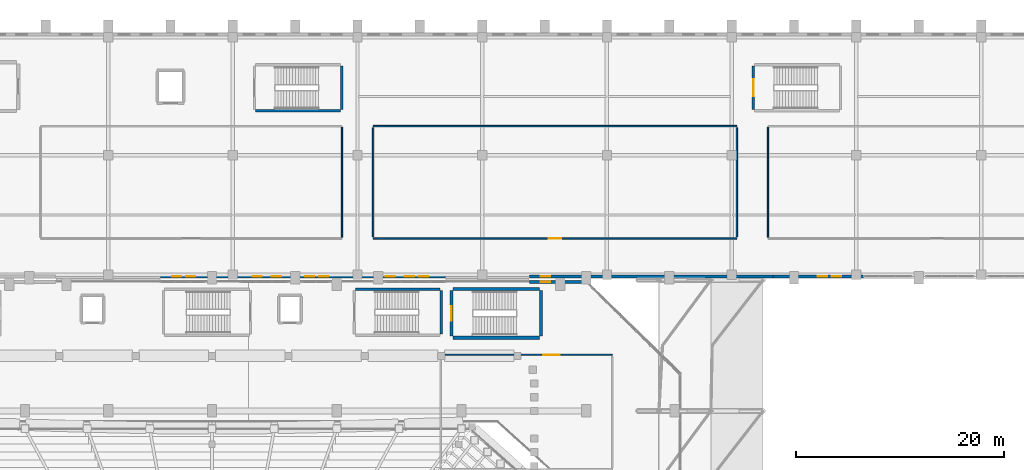
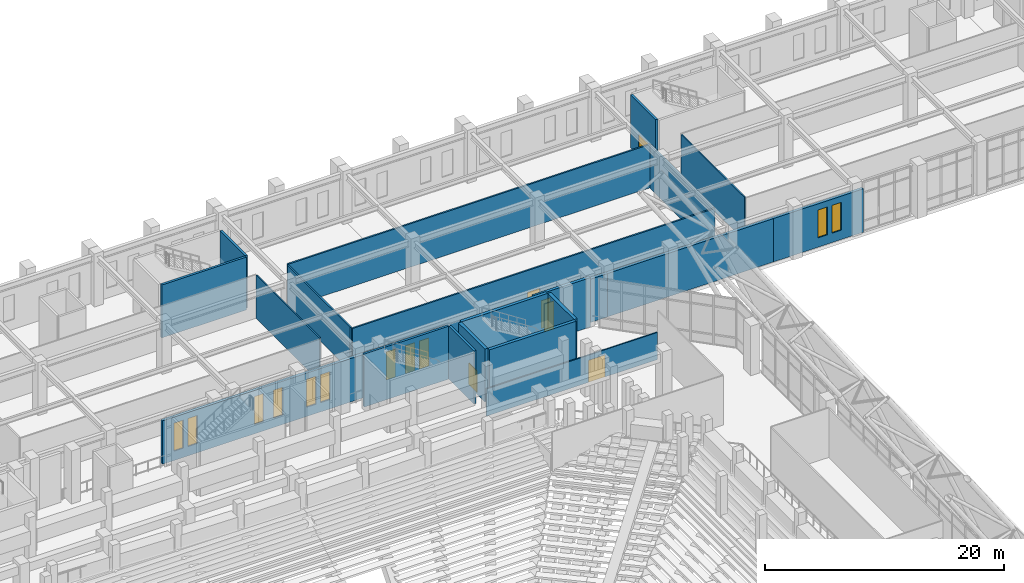
# One storey, part 132 of 159: 21 walls, 13 windows, 4 doors, 17 openings.
"""IFC4 building model written with IfcOpenShell, lengths in metres."""

import ifcopenshell
import ifcopenshell.guid

model = None  # the IFC model being written
_history = None  # IfcOwnerHistory: only IFC2X3 demands one
_inside = {}  # id of a spatial element -> (the spatial element, [elements in it])
_under = {}  # id of a project, library or spatial element -> (it, [spatial elements below it])
_declared = {}  # id of a project -> (the project, [libraries it declares])
_typed = {}  # id of a type object -> (the type object, [elements of that type])
_made_of = {}  # id of a material, layer set ... -> (it, [elements and type objects made of it])


def new_model(schema):
    """Start an empty IFC model of exactly this schema.

    Asked for "IFC4X3", IfcOpenShell would pick the latest addendum, in which some entities
    have other attributes; the version numbers below select the first issue.
    IFC2X3 requires an IfcOwnerHistory on every rooted entity: one is made here for all.
    """
    global model, _history
    if schema == "IFC4X3":
        model = ifcopenshell.file(schema_version=(4, 3, 0, 0))
    else:
        model = ifcopenshell.file(schema=schema)
    _inside.clear()
    _under.clear()
    _declared.clear()
    _typed.clear()
    _made_of.clear()
    _history = None
    if model.schema == "IFC2X3":
        org = make("IfcOrganization", Name="unknown")
        user = make(
            "IfcPersonAndOrganization",
            ThePerson=make("IfcPerson", FamilyName="unknown"),
            TheOrganization=org,
        )
        app = make(
            "IfcApplication",
            ApplicationDeveloper=org,
            Version="unknown",
            ApplicationFullName="unknown",
            ApplicationIdentifier="unknown",
        )
        _history = make(
            "IfcOwnerHistory",
            OwningUser=user,
            OwningApplication=app,
            ChangeAction="ADDED",
            CreationDate=0,
        )
    return model


def make(cls, **values):
    """One entity of the class cls with the attributes given. An attribute that is None is left unset."""
    return model.create_entity(
        cls, **{name: value for name, value in values.items() if value is not None}
    )


def rooted(cls, **values):
    """An entity with a GlobalId (a new one), such as an element, a storey or a relation."""
    return make(cls, GlobalId=ifcopenshell.guid.new(), OwnerHistory=_history, **values)


def si_unit(unit_type, name, prefix=None):
    """IfcSIUnit, for example si_unit("LENGTHUNIT", "METRE", prefix="MILLI")."""
    return make("IfcSIUnit", UnitType=unit_type, Prefix=prefix, Name=name)


def derived_unit(unit_type, elements):
    """IfcDerivedUnit: a product of units, each with its exponent."""
    return make(
        "IfcDerivedUnit",
        Elements=[
            make("IfcDerivedUnitElement", Unit=unit, Exponent=power)
            for unit, power in elements
        ],
        UnitType=unit_type,
    )


def assignment(units):
    """IfcUnitAssignment: the units of a project."""
    return None if units is None else make("IfcUnitAssignment", Units=units)


def point(xyz):
    """IfcCartesianPoint."""
    return None if xyz is None else make("IfcCartesianPoint", Coordinates=xyz)


def direction(xyz):
    """IfcDirection."""
    return None if xyz is None else make("IfcDirection", DirectionRatios=xyz)


def frame(location, z_axis=None, x_axis=None):
    """IfcAxis2Placement3D, a coordinate frame: its origin and axes. An axis left out is left unset."""
    return make(
        "IfcAxis2Placement3D",
        Location=point(location),
        Axis=direction(z_axis),
        RefDirection=direction(x_axis),
    )


def frame_2d(location, x_axis=None):
    """IfcAxis2Placement2D, a coordinate frame in the plane: its origin and x axis."""
    return make(
        "IfcAxis2Placement2D", Location=point(location), RefDirection=direction(x_axis)
    )


def origin():
    """The frame at (0, 0, 0) with its axes left unset."""
    return frame((0.0, 0.0, 0.0))


def place(relative_to, where):
    """IfcLocalPlacement: puts the frame where relative to a parent placement (None: the world)."""
    return make(
        "IfcLocalPlacement", PlacementRelTo=relative_to, RelativePlacement=where
    )


def context(
    kind, dimensions, precision=None, world=None, true_north=None, identifier=None
):
    """IfcGeometricRepresentationContext, for example the 3D "Model" context."""
    return make(
        "IfcGeometricRepresentationContext",
        ContextIdentifier=identifier,
        ContextType=kind,
        CoordinateSpaceDimension=dimensions,
        Precision=precision,
        WorldCoordinateSystem=world,
        TrueNorth=true_north,
    )


def subcontext(parent, identifier, kind, view, scale=None):
    """IfcGeometricRepresentationSubContext, for example "Body" below "Model"."""
    return make(
        "IfcGeometricRepresentationSubContext",
        ContextIdentifier=identifier,
        ContextType=kind,
        ParentContext=parent,
        TargetScale=scale,
        TargetView=view,
    )


def project(units=None, contexts=None):
    """IfcProject with its units and contexts."""
    return rooted(
        "IfcProject",
        Name="project",
        RepresentationContexts=contexts,
        UnitsInContext=assignment(units),
    )


def spatial(cls, under=None, at=None, **own):
    """A site, building, storey or space (cls), placed at a placement, below another one or the project."""
    s = rooted(cls, ObjectPlacement=at, **own)
    if under is not None:
        _under.setdefault(under.id(), (under, []))[1].append(s)
    return s


def profile(cls, at=None, kind="AREA", **sizes):
    """A parametric profile (cls). Its sizes go by their IFC names, for example OverallWidth=200.0."""
    return make(cls, ProfileType=kind, Position=at, **sizes)


def rectangle(**sizes):
    """IfcRectangleProfileDef."""
    return profile("IfcRectangleProfileDef", **sizes)


def extrude(swept, where, along, depth):
    """IfcExtrudedAreaSolid: the profile swept, set in the frame where, extruded along a direction by depth."""
    return make(
        "IfcExtrudedAreaSolid",
        SweptArea=swept,
        Position=where,
        ExtrudedDirection=direction(along),
        Depth=depth,
    )


def shape(context_of_items, identifier, shape_type, items):
    """IfcShapeRepresentation: the items that make up one representation, for example the "Body"."""
    return make(
        "IfcShapeRepresentation",
        ContextOfItems=context_of_items,
        RepresentationIdentifier=identifier,
        RepresentationType=shape_type,
        Items=items,
    )


def material(Name=None, Category=None):
    """IfcMaterial."""
    return make("IfcMaterial", Name=Name, Category=Category)


def layer(
    of_material, thickness, ventilated=None, Name=None, Category=None, Priority=None
):
    """IfcMaterialLayer: one layer of a wall or slab, of a material (None: an air gap)."""
    return make(
        "IfcMaterialLayer",
        Material=of_material,
        LayerThickness=thickness,
        IsVentilated=ventilated,
        Name=Name,
        Category=Category,
        Priority=Priority,
    )


def layer_set(layers, Name=None):
    """IfcMaterialLayerSet."""
    return make("IfcMaterialLayerSet", MaterialLayers=layers, LayerSetName=Name)


def made_of(thing, what):
    """Note that an element or type object is made of a material, layer set ...; save() writes the relation."""
    if what is not None:
        _made_of.setdefault(what.id(), (what, []))[1].append(thing)
    return thing


def type_object(cls, material=None, **own):
    """A type object (cls), such as IfcWallType, which elements share."""
    return made_of(rooted(cls, **own), material)


def element(
    cls,
    number,
    at=None,
    inside=None,
    cuts=None,
    type_object=None,
    material=None,
    context=None,
    identifier="Body",
    shape_type=None,
    held_by="IfcProductDefinitionShape",
    body=None,
    shapes=None,
    **own,
):
    """One element of the class cls, such as IfcWall. Its Tag is "e" and its number.

    at: its placement. inside: the storey or other place that contains it. cuts: it is an
    opening in that element (IfcRelVoidsElement). A single representation is given by context,
    identifier, shape_type and body (its items); several are given by shapes. held_by: the class
    of the entity that holds the representations. save() writes the other relations.
    """
    e = rooted(cls, Tag="e%d" % number, ObjectPlacement=at, **own)
    if body is not None:
        shapes = [shape(context, identifier, shape_type, body)]
    if shapes is not None:
        e.Representation = make(held_by, Representations=shapes)
    if inside is not None:
        _inside.setdefault(inside.id(), (inside, []))[1].append(e)
    if cuts is not None:
        rooted(
            "IfcRelVoidsElement", RelatingBuildingElement=cuts, RelatedOpeningElement=e
        )
    if type_object is not None:
        _typed.setdefault(type_object.id(), (type_object, []))[1].append(e)
    return made_of(e, material)


def fill(opening, filler):
    """IfcRelFillsElement: the door or window that sits in an opening."""
    return rooted(
        "IfcRelFillsElement",
        RelatingOpeningElement=opening,
        RelatedBuildingElement=filler,
    )


def aggregate(whole, parts):
    """IfcRelAggregates: a whole, such as a stair, and the parts it consists of."""
    return rooted("IfcRelAggregates", RelatingObject=whole, RelatedObjects=parts)


def save(model, path):
    """Write the relations noted so far, then the file.

    IfcRelAggregates (storeys below a building ...), IfcRelContainedInSpatialStructure (elements
    in a storey), IfcRelDefinesByType, IfcRelAssociatesMaterial and IfcRelDeclares: one each for
    every whole, place, type object, material and project.
    """
    for whole, parts in _under.values():
        aggregate(whole, parts)
    for where, things in _inside.values():
        rooted(
            "IfcRelContainedInSpatialStructure",
            RelatedElements=things,
            RelatingStructure=where,
        )
    for kind, things in _typed.values():
        rooted("IfcRelDefinesByType", RelatedObjects=things, RelatingType=kind)
    for what, things in _made_of.values():
        rooted("IfcRelAssociatesMaterial", RelatedObjects=things, RelatingMaterial=what)
    for by, libraries in _declared.values():
        rooted("IfcRelDeclares", RelatingContext=by, RelatedDefinitions=libraries)
    model.write(path)


model = new_model("IFC4")

# Units and contexts
model_context = context("Model", 3, precision=1e-05, world=origin(), true_north=direction((0.0, 1.0)))
body_context = subcontext(model_context, "Body", "Model", "MODEL_VIEW")
ifc_project = project(units=[si_unit("LENGTHUNIT", "METRE"), si_unit("AREAUNIT", "SQUARE_METRE"), si_unit("VOLUMEUNIT", "CUBIC_METRE"), si_unit("PLANEANGLEUNIT", "RADIAN"), si_unit("MASSUNIT", "GRAM", prefix="KILO"), derived_unit("THERMALTRANSMITTANCEUNIT", [(si_unit("MASSUNIT", "GRAM", prefix="KILO"), 1), (si_unit("TIMEUNIT", "SECOND"), -3), (si_unit("THERMODYNAMICTEMPERATUREUNIT", "KELVIN"), -1)])], contexts=[model_context])

# Site, building, storey
site_placement = place(None, origin())
site = spatial("IfcSite", under=ifc_project, at=site_placement, CompositionType="ELEMENT")
building_placement = place(site_placement, origin())
building = spatial("IfcBuilding", under=site, at=building_placement, Name="Valcora Ridge Arena", CompositionType="ELEMENT")
storey_placement = place(building_placement, frame((0.0, 0.0, 6.0)))
storey = spatial("IfcBuildingStorey", under=building, at=storey_placement, Name="L01", CompositionType="ELEMENT", Elevation=6.0)

# Wall, openings, windows
ifc_material_1 = material(Name="Bush-hammered Andean travertine on concrete backup C40/50", Category="masonry")
ifc_layer_1 = layer(ifc_material_1, 0.280029296875, Name="Bush-hammered Andean travertine on concrete backup C40/50")
ifc_layer_set_1 = layer_set([ifc_layer_1], Name="Bush-hammered Andean travertine on concrete backup C40/50")
wall_type_1 = type_object("IfcWallType", Name="TY-WALL-EW-TRV-28-44", PredefinedType="STANDARD", material=ifc_layer_set_1)
wall_1_placement = place(storey_placement, frame((53.050048828125, 108.550048828125, 0.0), z_axis=(0.0, 0.0, 1.0), x_axis=(1.0, 0.0, 0.0)))
wall_1 = element("IfcWall", 1, at=wall_1_placement, inside=storey, type_object=wall_type_1, Name="EW-TRV-28-44 WAL-EW-0159", PredefinedType="STANDARD", context=body_context, shape_type="SweptSolid", body=[
    extrude(rectangle(XDim=27.39990234375, YDim=0.280029296875, at=frame_2d((13.699951171875, 0.0))), origin(), (0.0, 0.0, 1.0), 4.427978515625),
])
opening_1_placement = place(wall_1_placement, frame((1.10009765625, 0.0, 0.949951171875)))
opening_1 = element("IfcOpeningElement", 2, at=opening_1_placement, cuts=wall_1, Name="Opening W-GLAN-90X285", PredefinedType="OPENING", context=body_context, shape_type="SweptSolid", body=[
    extrude(rectangle(XDim=0.89990234375, YDim=2.85009765625, at=frame_2d((0.449951171875, 1.425048828125))), frame((0.0, 0.14990234375, 0.0), z_axis=(0.0, -1.0, 0.0), x_axis=(1.0, 0.0, 0.0)), (0.0, 0.0, 1.0), 0.300048828125),
])
opening_2_placement = place(wall_1_placement, frame((2.449951171875, 0.0, 0.949951171875)))
opening_2 = element("IfcOpeningElement", 3, at=opening_2_placement, cuts=wall_1, Name="Opening W-GLAN-90X285", PredefinedType="OPENING", context=body_context, shape_type="SweptSolid", body=[
    extrude(rectangle(XDim=0.89990234375, YDim=2.85009765625, at=frame_2d((0.449951171875, 1.425048828125))), frame((0.0, 0.14990234375, 0.0), z_axis=(0.0, -1.0, 0.0), x_axis=(1.0, 0.0, 0.0)), (0.0, 0.0, 1.0), 0.300048828125),
])
opening_3_placement = place(wall_1_placement, frame((8.85009765625, 0.0, 0.949951171875)))
opening_3 = element("IfcOpeningElement", 4, at=opening_3_placement, cuts=wall_1, Name="Opening W-GLAN-90X285", PredefinedType="OPENING", context=body_context, shape_type="SweptSolid", body=[
    extrude(rectangle(XDim=0.89990234375, YDim=2.85009765625, at=frame_2d((0.449951171875, 1.425048828125))), frame((0.0, 0.14990234375, 0.0), z_axis=(0.0, -1.0, 0.0), x_axis=(1.0, 0.0, 0.0)), (0.0, 0.0, 1.0), 0.300048828125),
])
opening_4_placement = place(wall_1_placement, frame((10.699951171875, 0.0, 0.949951171875)))
opening_4 = element("IfcOpeningElement", 5, at=opening_4_placement, cuts=wall_1, Name="Opening W-GLAN-90X285", PredefinedType="OPENING", context=body_context, shape_type="SweptSolid", body=[
    extrude(rectangle(XDim=0.89990234375, YDim=2.85009765625, at=frame_2d((0.449951171875, 1.425048828125))), frame((0.0, 0.14990234375, 0.0), z_axis=(0.0, -1.0, 0.0), x_axis=(1.0, 0.0, 0.0)), (0.0, 0.0, 1.0), 0.300048828125),
])
opening_5_placement = place(wall_1_placement, frame((13.89990234375, 0.0, 0.949951171875)))
opening_5 = element("IfcOpeningElement", 6, at=opening_5_placement, cuts=wall_1, Name="Opening W-GLAN-90X285", PredefinedType="OPENING", context=body_context, shape_type="SweptSolid", body=[
    extrude(rectangle(XDim=0.89990234375, YDim=2.85009765625, at=frame_2d((0.449951171875, 1.425048828125))), frame((0.0, 0.14990234375, 0.0), z_axis=(0.0, -1.0, 0.0), x_axis=(1.0, 0.0, 0.0)), (0.0, 0.0, 1.0), 0.300048828125),
])
opening_6_placement = place(wall_1_placement, frame((15.25, 0.0, 0.949951171875)))
opening_6 = element("IfcOpeningElement", 7, at=opening_6_placement, cuts=wall_1, Name="Opening W-GLAN-90X285", PredefinedType="OPENING", context=body_context, shape_type="SweptSolid", body=[
    extrude(rectangle(XDim=0.89990234375, YDim=2.85009765625, at=frame_2d((0.449951171875, 1.425048828125))), frame((0.0, 0.14990234375, 0.0), z_axis=(0.0, -1.0, 0.0), x_axis=(1.0, 0.0, 0.0)), (0.0, 0.0, 1.0), 0.300048828125),
])
opening_7_placement = place(wall_1_placement, frame((21.64990234375, 0.0, 0.949951171875)))
opening_7 = element("IfcOpeningElement", 8, at=opening_7_placement, cuts=wall_1, Name="Opening W-GLAN-90X285", PredefinedType="OPENING", context=body_context, shape_type="SweptSolid", body=[
    extrude(rectangle(XDim=0.89990234375, YDim=2.85009765625, at=frame_2d((0.449951171875, 1.425048828125))), frame((0.0, 0.14990234375, 0.0), z_axis=(0.0, -1.0, 0.0), x_axis=(1.0, 0.0, 0.0)), (0.0, 0.0, 1.0), 0.300048828125),
])
opening_8_placement = place(wall_1_placement, frame((23.5, 0.0, 0.949951171875)))
opening_8 = element("IfcOpeningElement", 9, at=opening_8_placement, cuts=wall_1, Name="Opening W-GLAN-90X285", PredefinedType="OPENING", context=body_context, shape_type="SweptSolid", body=[
    extrude(rectangle(XDim=0.89990234375, YDim=2.85009765625, at=frame_2d((0.449951171875, 1.425048828125))), frame((0.0, 0.14990234375, 0.0), z_axis=(0.0, -1.0, 0.0), x_axis=(1.0, 0.0, 0.0)), (0.0, 0.0, 1.0), 0.300048828125),
])
opening_9_placement = place(wall_1_placement, frame((24.85009765625, 0.0, 0.949951171875)))
opening_9 = element("IfcOpeningElement", 10, at=opening_9_placement, cuts=wall_1, Name="Opening W-GLAN-90X285", PredefinedType="OPENING", context=body_context, shape_type="SweptSolid", body=[
    extrude(rectangle(XDim=0.89990234375, YDim=2.85009765625, at=frame_2d((0.449951171875, 1.425048828125))), frame((0.0, 0.14990234375, 0.0), z_axis=(0.0, -1.0, 0.0), x_axis=(1.0, 0.0, 0.0)), (0.0, 0.0, 1.0), 0.300048828125),
])
ifc_material_2 = material(Name="Low-iron solar-control double glazing SHGC 0.28", Category="glass")
window_type = type_object("IfcWindowType", Name="TY-WINDOW-W-GLAN-90X285", PartitioningType="DOUBLE_PANEL_VERTICAL", PredefinedType="WINDOW", material=ifc_material_2)
window_1_placement = place(opening_1_placement, origin())
window_1 = element("IfcWindow", 11, at=window_1_placement, inside=storey, type_object=window_type, Name="W-GLAN-90X285 WIN-EX-0482", OverallHeight=2.85009765625, OverallWidth=0.89990234375, PartitioningType="DOUBLE_PANEL_VERTICAL", PredefinedType="WINDOW", context=body_context, shape_type="SweptSolid", body=[
    extrude(rectangle(XDim=0.89990234375, YDim=2.85009765625, at=frame_2d((0.449951171875, 1.425048828125))), frame((0.0, 0.030029296875, 0.0), z_axis=(0.0, -1.0, 0.0), x_axis=(1.0, 0.0, 0.0)), (0.0, 0.0, 1.0), 0.06005859375),
])
fill(opening_1, window_1)
window_2_placement = place(opening_2_placement, origin())
window_2 = element("IfcWindow", 12, at=window_2_placement, inside=storey, type_object=window_type, Name="W-GLAN-90X285 WIN-EX-0483", OverallHeight=2.85009765625, OverallWidth=0.89990234375, PartitioningType="DOUBLE_PANEL_VERTICAL", PredefinedType="WINDOW", context=body_context, shape_type="SweptSolid", body=[
    extrude(rectangle(XDim=0.89990234375, YDim=2.85009765625, at=frame_2d((0.449951171875, 1.425048828125))), frame((0.0, 0.030029296875, 0.0), z_axis=(0.0, -1.0, 0.0), x_axis=(1.0, 0.0, 0.0)), (0.0, 0.0, 1.0), 0.06005859375),
])
fill(opening_2, window_2)
window_3_placement = place(opening_3_placement, origin())
window_3 = element("IfcWindow", 13, at=window_3_placement, inside=storey, type_object=window_type, Name="W-GLAN-90X285 WIN-EX-0484", OverallHeight=2.85009765625, OverallWidth=0.89990234375, PartitioningType="DOUBLE_PANEL_VERTICAL", PredefinedType="WINDOW", context=body_context, shape_type="SweptSolid", body=[
    extrude(rectangle(XDim=0.89990234375, YDim=2.85009765625, at=frame_2d((0.449951171875, 1.425048828125))), frame((0.0, 0.030029296875, 0.0), z_axis=(0.0, -1.0, 0.0), x_axis=(1.0, 0.0, 0.0)), (0.0, 0.0, 1.0), 0.06005859375),
])
fill(opening_3, window_3)
window_4_placement = place(opening_4_placement, origin())
window_4 = element("IfcWindow", 14, at=window_4_placement, inside=storey, type_object=window_type, Name="W-GLAN-90X285 WIN-EX-0485", OverallHeight=2.85009765625, OverallWidth=0.89990234375, PartitioningType="DOUBLE_PANEL_VERTICAL", PredefinedType="WINDOW", context=body_context, shape_type="SweptSolid", body=[
    extrude(rectangle(XDim=0.89990234375, YDim=2.85009765625, at=frame_2d((0.449951171875, 1.425048828125))), frame((0.0, 0.030029296875, 0.0), z_axis=(0.0, -1.0, 0.0), x_axis=(1.0, 0.0, 0.0)), (0.0, 0.0, 1.0), 0.06005859375),
])
fill(opening_4, window_4)
window_5_placement = place(opening_5_placement, origin())
window_5 = element("IfcWindow", 15, at=window_5_placement, inside=storey, type_object=window_type, Name="W-GLAN-90X285 WIN-EX-0486", OverallHeight=2.85009765625, OverallWidth=0.89990234375, PartitioningType="DOUBLE_PANEL_VERTICAL", PredefinedType="WINDOW", context=body_context, shape_type="SweptSolid", body=[
    extrude(rectangle(XDim=0.89990234375, YDim=2.85009765625, at=frame_2d((0.449951171875, 1.425048828125))), frame((0.0, 0.030029296875, 0.0), z_axis=(0.0, -1.0, 0.0), x_axis=(1.0, 0.0, 0.0)), (0.0, 0.0, 1.0), 0.06005859375),
])
fill(opening_5, window_5)
window_6_placement = place(opening_6_placement, origin())
window_6 = element("IfcWindow", 16, at=window_6_placement, inside=storey, type_object=window_type, Name="W-GLAN-90X285 WIN-EX-0487", OverallHeight=2.85009765625, OverallWidth=0.89990234375, PartitioningType="DOUBLE_PANEL_VERTICAL", PredefinedType="WINDOW", context=body_context, shape_type="SweptSolid", body=[
    extrude(rectangle(XDim=0.89990234375, YDim=2.85009765625, at=frame_2d((0.449951171875, 1.425048828125))), frame((0.0, 0.030029296875, 0.0), z_axis=(0.0, -1.0, 0.0), x_axis=(1.0, 0.0, 0.0)), (0.0, 0.0, 1.0), 0.06005859375),
])
fill(opening_6, window_6)
window_7_placement = place(opening_7_placement, origin())
window_7 = element("IfcWindow", 17, at=window_7_placement, inside=storey, type_object=window_type, Name="W-GLAN-90X285 WIN-EX-0488", OverallHeight=2.85009765625, OverallWidth=0.89990234375, PartitioningType="DOUBLE_PANEL_VERTICAL", PredefinedType="WINDOW", context=body_context, shape_type="SweptSolid", body=[
    extrude(rectangle(XDim=0.89990234375, YDim=2.85009765625, at=frame_2d((0.449951171875, 1.425048828125))), frame((0.0, 0.030029296875, 0.0), z_axis=(0.0, -1.0, 0.0), x_axis=(1.0, 0.0, 0.0)), (0.0, 0.0, 1.0), 0.06005859375),
])
fill(opening_7, window_7)
window_8_placement = place(opening_8_placement, origin())
window_8 = element("IfcWindow", 18, at=window_8_placement, inside=storey, type_object=window_type, Name="W-GLAN-90X285 WIN-EX-0489", OverallHeight=2.85009765625, OverallWidth=0.89990234375, PartitioningType="DOUBLE_PANEL_VERTICAL", PredefinedType="WINDOW", context=body_context, shape_type="SweptSolid", body=[
    extrude(rectangle(XDim=0.89990234375, YDim=2.85009765625, at=frame_2d((0.449951171875, 1.425048828125))), frame((0.0, 0.030029296875, 0.0), z_axis=(0.0, -1.0, 0.0), x_axis=(1.0, 0.0, 0.0)), (0.0, 0.0, 1.0), 0.06005859375),
])
fill(opening_8, window_8)
window_9_placement = place(opening_9_placement, origin())
window_9 = element("IfcWindow", 19, at=window_9_placement, inside=storey, type_object=window_type, Name="W-GLAN-90X285 WIN-EX-0490", OverallHeight=2.85009765625, OverallWidth=0.89990234375, PartitioningType="DOUBLE_PANEL_VERTICAL", PredefinedType="WINDOW", context=body_context, shape_type="SweptSolid", body=[
    extrude(rectangle(XDim=0.89990234375, YDim=2.85009765625, at=frame_2d((0.449951171875, 1.425048828125))), frame((0.0, 0.030029296875, 0.0), z_axis=(0.0, -1.0, 0.0), x_axis=(1.0, 0.0, 0.0)), (0.0, 0.0, 1.0), 0.06005859375),
])
fill(opening_9, window_9)

# Wall, opening, window
wall_2_placement = place(storey_placement, frame((88.550048828125, 108.550048828125, 0.0), z_axis=(0.0, 0.0, 1.0), x_axis=(1.0, 0.0, 0.0)))
wall_2 = element("IfcWall", 20, at=wall_2_placement, inside=storey, type_object=wall_type_1, Name="EW-TRV-28-44 WAL-EW-0160", PredefinedType="STANDARD", context=body_context, shape_type="SweptSolid", body=[
    extrude(rectangle(XDim=7.449951171875, YDim=0.280029296875, at=frame_2d((3.72509765625, 0.0))), origin(), (0.0, 0.0, 1.0), 4.427978515625),
])
opening_10_placement = place(wall_2_placement, frame((1.10009765625, 0.0, 0.949951171875)))
opening_10 = element("IfcOpeningElement", 21, at=opening_10_placement, cuts=wall_2, Name="Opening W-GLAN-90X285", PredefinedType="OPENING", context=body_context, shape_type="SweptSolid", body=[
    extrude(rectangle(XDim=0.89990234375, YDim=2.85009765625, at=frame_2d((0.449951171875, 1.425048828125))), frame((0.0, 0.14990234375, 0.0), z_axis=(0.0, -1.0, 0.0), x_axis=(1.0, 0.0, 0.0)), (0.0, 0.0, 1.0), 0.300048828125),
])
window_10_placement = place(opening_10_placement, origin())
window_10 = element("IfcWindow", 22, at=window_10_placement, inside=storey, type_object=window_type, Name="W-GLAN-90X285 WIN-EX-0491", OverallHeight=2.85009765625, OverallWidth=0.89990234375, PartitioningType="DOUBLE_PANEL_VERTICAL", PredefinedType="WINDOW", context=body_context, shape_type="SweptSolid", body=[
    extrude(rectangle(XDim=0.89990234375, YDim=2.85009765625, at=frame_2d((0.449951171875, 1.425048828125))), frame((0.0, 0.030029296875, 0.0), z_axis=(0.0, -1.0, 0.0), x_axis=(1.0, 0.0, 0.0)), (0.0, 0.0, 1.0), 0.06005859375),
])
fill(opening_10, window_10)

# Wall
wall_3_placement = place(storey_placement, frame((96.0, 108.550048828125, 0.0), z_axis=(0.0, 0.0, 1.0), x_axis=(1.0, 0.0, 0.0)))
element("IfcWall", 23, at=wall_3_placement, inside=storey, type_object=wall_type_1, Name="EW-TRV-28-44 WAL-EW-0161", PredefinedType="STANDARD", context=body_context, shape_type="SweptSolid", body=[
    extrude(rectangle(XDim=16.0, YDim=0.280029296875, at=frame_2d((8.0, 0.0))), origin(), (0.0, 0.0, 1.0), 4.427978515625),
])

# Wall, openings, windows
wall_4_placement = place(storey_placement, frame((112.0, 108.550048828125, 0.0), z_axis=(0.0, 0.0, 1.0), x_axis=(1.0, 0.0, 0.0)))
wall_4 = element("IfcWall", 24, at=wall_4_placement, inside=storey, type_object=wall_type_1, Name="EW-TRV-28-44 WAL-EW-0162", PredefinedType="STANDARD", context=body_context, shape_type="SweptSolid", body=[
    extrude(rectangle(XDim=8.679931640625, YDim=0.280029296875, at=frame_2d((4.33984375, 0.0))), origin(), (0.0, 0.0, 1.0), 4.427978515625),
])
opening_11_placement = place(wall_4_placement, frame((4.300048828125, 0.0, 0.949951171875)))
opening_11 = element("IfcOpeningElement", 25, at=opening_11_placement, cuts=wall_4, Name="Opening W-GLAN-90X285", PredefinedType="OPENING", context=body_context, shape_type="SweptSolid", body=[
    extrude(rectangle(XDim=0.89990234375, YDim=2.85009765625, at=frame_2d((0.449951171875, 1.425048828125))), frame((0.0, 0.14990234375, 0.0), z_axis=(0.0, -1.0, 0.0), x_axis=(1.0, 0.0, 0.0)), (0.0, 0.0, 1.0), 0.300048828125),
])
opening_12_placement = place(wall_4_placement, frame((5.64990234375, 0.0, 0.949951171875)))
opening_12 = element("IfcOpeningElement", 26, at=opening_12_placement, cuts=wall_4, Name="Opening W-GLAN-90X285", PredefinedType="OPENING", context=body_context, shape_type="SweptSolid", body=[
    extrude(rectangle(XDim=0.89990234375, YDim=2.85009765625, at=frame_2d((0.449951171875, 1.425048828125))), frame((0.0, 0.14990234375, 0.0), z_axis=(0.0, -1.0, 0.0), x_axis=(1.0, 0.0, 0.0)), (0.0, 0.0, 1.0), 0.300048828125),
])
window_11_placement = place(opening_11_placement, origin())
window_11 = element("IfcWindow", 27, at=window_11_placement, inside=storey, type_object=window_type, Name="W-GLAN-90X285 WIN-EX-0492", OverallHeight=2.85009765625, OverallWidth=0.89990234375, PartitioningType="DOUBLE_PANEL_VERTICAL", PredefinedType="WINDOW", context=body_context, shape_type="SweptSolid", body=[
    extrude(rectangle(XDim=0.89990234375, YDim=2.85009765625, at=frame_2d((0.449951171875, 1.425048828125))), frame((0.0, 0.030029296875, 0.0), z_axis=(0.0, -1.0, 0.0), x_axis=(1.0, 0.0, 0.0)), (0.0, 0.0, 1.0), 0.06005859375),
])
fill(opening_11, window_11)
window_12_placement = place(opening_12_placement, origin())
window_12 = element("IfcWindow", 28, at=window_12_placement, inside=storey, type_object=window_type, Name="W-GLAN-90X285 WIN-EX-0493", OverallHeight=2.85009765625, OverallWidth=0.89990234375, PartitioningType="DOUBLE_PANEL_VERTICAL", PredefinedType="WINDOW", context=body_context, shape_type="SweptSolid", body=[
    extrude(rectangle(XDim=0.89990234375, YDim=2.85009765625, at=frame_2d((0.449951171875, 1.425048828125))), frame((0.0, 0.030029296875, 0.0), z_axis=(0.0, -1.0, 0.0), x_axis=(1.0, 0.0, 0.0)), (0.0, 0.0, 1.0), 0.06005859375),
])
fill(opening_12, window_12)

# Wall, opening, window
ifc_layer_2 = layer(ifc_material_1, 0.280029296875, Name="Bush-hammered Andean travertine on concrete backup C40/50")
ifc_layer_set_2 = layer_set([ifc_layer_2], Name="Bush-hammered Andean travertine on concrete backup C40/50")
wall_type_2 = type_object("IfcWallType", Name="TY-WALL-EW-TRV-28-50", PredefinedType="STANDARD", material=ifc_layer_set_2)
wall_5_placement = place(storey_placement, frame((88.550048828125, 108.0, 0.0), z_axis=(0.0, 0.0, 1.0), x_axis=(1.0, 0.0, 0.0)))
wall_5 = element("IfcWall", 29, at=wall_5_placement, inside=storey, type_object=wall_type_2, Name="EW-TRV-28-50 WAL-EW-0044", PredefinedType="STANDARD", context=body_context, shape_type="SweptSolid", body=[
    extrude(rectangle(XDim=5.449951171875, YDim=0.280029296875, at=frame_2d((2.72509765625, 0.0))), origin(), (0.0, 0.0, 1.0), 5.0400390625),
])
opening_13_placement = place(wall_5_placement, frame((1.10009765625, 0.0, 0.949951171875)))
opening_13 = element("IfcOpeningElement", 30, at=opening_13_placement, cuts=wall_5, Name="Opening W-GLAN-90X285", PredefinedType="OPENING", context=body_context, shape_type="SweptSolid", body=[
    extrude(rectangle(XDim=0.89990234375, YDim=2.85009765625, at=frame_2d((0.449951171875, 1.425048828125))), frame((0.0, 0.14990234375, 0.0), z_axis=(0.0, -1.0, 0.0), x_axis=(1.0, 0.0, 0.0)), (0.0, 0.0, 1.0), 0.300048828125),
])
window_13_placement = place(opening_13_placement, origin())
window_13 = element("IfcWindow", 31, at=window_13_placement, inside=storey, type_object=window_type, Name="W-GLAN-90X285 WIN-EX-0091", OverallHeight=2.85009765625, OverallWidth=0.89990234375, PartitioningType="DOUBLE_PANEL_VERTICAL", PredefinedType="WINDOW", context=body_context, shape_type="SweptSolid", body=[
    extrude(rectangle(XDim=0.89990234375, YDim=2.85009765625, at=frame_2d((0.449951171875, 1.425048828125))), frame((0.0, 0.030029296875, 0.0), z_axis=(0.0, -1.0, 0.0), x_axis=(1.0, 0.0, 0.0)), (0.0, 0.0, 1.0), 0.06005859375),
])
fill(opening_13, window_13)

# Wall, opening, door
ifc_material_3 = material(Name="Fire-rated masonry-core compartment wall C35/45 150 mm", Category="masonry")
ifc_layer_3 = layer(ifc_material_3, 0.14990234375, Name="Fire-rated masonry-core compartment wall C35/45 150 mm")
ifc_layer_set_3 = layer_set([ifc_layer_3], Name="Fire-rated masonry-core compartment wall C35/45 150 mm")
wall_type_3 = type_object("IfcWallType", Name="TY-WALL-IW-COMP-150", PredefinedType="STANDARD", material=ifc_layer_set_3)
wall_6_placement = place(storey_placement, frame((73.5, 112.199951171875, 0.0), z_axis=(0.0, 0.0, 1.0), x_axis=(1.0, 0.0, 0.0)))
wall_6 = element("IfcWall", 32, at=wall_6_placement, inside=storey, type_object=wall_type_3, Name="IW-COMP-150 WAL-IN-0337", PredefinedType="STANDARD", context=body_context, shape_type="SweptSolid", body=[
    extrude(rectangle(XDim=35.0, YDim=0.14990234375, at=frame_2d((17.5, 0.0))), origin(), (0.0, 0.0, 1.0), 4.427978515625),
])
opening_14_placement = place(wall_6_placement, frame((16.89990234375, 0.0, 0.0)))
opening_14 = element("IfcOpeningElement", 33, at=opening_14_placement, cuts=wall_6, Name="Opening FD-KIT-1200", PredefinedType="OPENING", context=body_context, shape_type="SweptSolid", body=[
    extrude(rectangle(XDim=1.199951171875, YDim=2.199951171875, at=frame_2d((0.60009765625, 1.10009765625))), frame((0.0, 0.0849609375, 0.0), z_axis=(0.0, -1.0, 0.0), x_axis=(1.0, 0.0, 0.0)), (0.0, 0.0, 1.0), 0.169921875),
])
ifc_material_4 = material(Name="Insulated fire-rated steel door leaf", Category="steel")
door_type_1 = type_object("IfcDoorType", Name="TY-DOOR-FD-KIT-1200", OperationType="NOTDEFINED", PredefinedType="DOOR", material=ifc_material_4)
door_1_placement = place(opening_14_placement, origin())
door_1 = element("IfcDoor", 34, at=door_1_placement, inside=storey, type_object=door_type_1, Name="FD-KIT-1200 DOR-IN-0089", OperationType="SINGLE_SWING_RIGHT", OverallHeight=2.199951171875, OverallWidth=1.199951171875, PredefinedType="DOOR", context=body_context, shape_type="SweptSolid", body=[
    extrude(rectangle(XDim=1.199951171875, YDim=2.199951171875, at=frame_2d((0.60009765625, 1.10009765625))), frame((0.0, 0.02490234375, 0.0), z_axis=(0.0, -1.0, 0.0), x_axis=(1.0, 0.0, 0.0)), (0.0, 0.0, 1.0), 0.050048828125),
])
fill(opening_14, door_1)

# Walls
wall_7_placement = place(storey_placement, frame((73.5, 123.0, 0.0), z_axis=(0.0, 0.0, 1.0), x_axis=(1.0, 0.0, 0.0)))
element("IfcWall", 35, at=wall_7_placement, inside=storey, type_object=wall_type_3, Name="IW-COMP-150 WAL-IN-0338", PredefinedType="STANDARD", context=body_context, shape_type="SweptSolid", body=[
    extrude(rectangle(XDim=35.0, YDim=0.14990234375, at=frame_2d((17.5, 0.0))), origin(), (0.0, 0.0, 1.0), 4.427978515625),
])
for number, where, z_axis, x_axis, name in (
    (36, (73.5, 112.35009765625, 0.0), (0.0, 0.0, 1.0), (0.0, 1.0, 0.0), "IW-COMP-150 WAL-IN-0339"),
    (37, (108.5, 112.35009765625, 0.0), (0.0, 0.0, 1.0), (0.0, 1.0, 0.0), "IW-COMP-150 WAL-IN-0340"),
):
    element("IfcWall", number, at=place(storey_placement, frame(where, z_axis=z_axis, x_axis=x_axis)), inside=storey, type_object=wall_type_3, Name=name, PredefinedType="STANDARD", context=body_context, shape_type="SweptSolid", body=[
        extrude(rectangle(XDim=10.5, YDim=0.14990234375, at=frame_2d((5.25, 0.0))), origin(), (0.0, 0.0, 1.0), 4.427978515625),
    ])

# Wall, opening, door
ifc_material_5 = material(Name="Acoustic metal-stud gypsum partition 120 mm")
ifc_layer_4 = layer(ifc_material_5, 0.1201171875, Name="Acoustic metal-stud gypsum partition 120 mm")
ifc_layer_set_4 = layer_set([ifc_layer_4], Name="Acoustic metal-stud gypsum partition 120 mm")
wall_type_4 = type_object("IfcWallType", Name="TY-WALL-IW-PART-120", PredefinedType="PARTITIONING", material=ifc_layer_set_4)
wall_8_placement = place(storey_placement, frame((80.0, 101.0, 0.0), z_axis=(0.0, 0.0, 1.0), x_axis=(1.0, 0.0, 0.0)))
wall_8 = element("IfcWall", 38, at=wall_8_placement, inside=storey, type_object=wall_type_4, Name="IW-PART-120 WAL-IN-0294", PredefinedType="PARTITIONING", context=body_context, shape_type="SweptSolid", body=[
    extrude(rectangle(XDim=16.5, YDim=0.1201171875, at=frame_2d((8.25, 0.0))), origin(), (0.0, 0.0, 1.0), 2.77490234375),
])
opening_15_placement = place(wall_8_placement, frame((9.85009765625, 0.0, 0.0)))
opening_15 = element("IfcOpeningElement", 39, at=opening_15_placement, cuts=wall_8, Name="Opening D-PUB-1600", PredefinedType="OPENING", context=body_context, shape_type="SweptSolid", body=[
    extrude(rectangle(XDim=1.60009765625, YDim=2.25, at=frame_2d((0.800048828125, 1.125))), frame((0.0, 0.070068359375, 0.0), z_axis=(0.0, -1.0, 0.0), x_axis=(1.0, 0.0, 0.0)), (0.0, 0.0, 1.0), 0.14013671875),
])
ifc_material_6 = material(Name="Solid-core acoustic timber veneer door leaf", Category="wood")
door_type_2 = type_object("IfcDoorType", Name="TY-DOOR-D-PUB-1600", OperationType="NOTDEFINED", PredefinedType="DOOR", material=ifc_material_6)
door_2_placement = place(opening_15_placement, origin())
door_2 = element("IfcDoor", 40, at=door_2_placement, inside=storey, type_object=door_type_2, Name="D-PUB-1600 DOR-IN-0078", OperationType="DOUBLE_DOOR_SINGLE_SWING", OverallHeight=2.25, OverallWidth=1.60009765625, PredefinedType="DOOR", context=body_context, shape_type="SweptSolid", body=[
    extrude(rectangle(XDim=1.60009765625, YDim=2.25, at=frame_2d((0.800048828125, 1.125))), frame((0.0, 0.02490234375, 0.0), z_axis=(0.0, -1.0, 0.0), x_axis=(1.0, 0.0, 0.0)), (0.0, 0.0, 1.0), 0.050048828125),
])
fill(opening_15, door_2)

# Walls
for number, where, z_axis, x_axis, name in (
    (41, (70.5, 112.320068359375, 0.0), (0.0, 0.0, 1.0), (0.0, 1.0, 0.0), "IW-PART-120 WAL-IN-0336"),
    (42, (111.5, 112.320068359375, 0.0), (0.0, 0.0, 1.0), (0.0, 1.0, 0.0), "IW-PART-120 WAL-IN-0343"),
):
    element("IfcWall", number, at=place(storey_placement, frame(where, z_axis=z_axis, x_axis=x_axis)), inside=storey, type_object=wall_type_4, Name=name, PredefinedType="PARTITIONING", context=body_context, shape_type="SweptSolid", body=[
        extrude(rectangle(XDim=10.559814453125, YDim=0.1201171875, at=frame_2d((5.27978515625, 0.0))), origin(), (0.0, 0.0, 1.0), 4.427978515625),
    ])
ifc_material_7 = material(Name="Concrete C45/55", Category="concrete")
ifc_layer_5 = layer(ifc_material_7, 0.300048828125, Name="Concrete C45/55")
ifc_layer_set_5 = layer_set([ifc_layer_5], Name="Concrete C45/55")
wall_type_5 = type_object("IfcWallType", Name="TY-WALL-SW-C300-L", PredefinedType="SHEAR", material=ifc_layer_set_5)
for number, where, z_axis, x_axis, name in (
    (43, (81.199951171875, 102.64990234375, 0.0), (0.0, 0.0, 1.0), (1.0, 0.0, 0.0), "SW-C300-L WAL-CR-0089"),
    (44, (81.199951171875, 107.35009765625, 0.0), (0.0, 0.0, 1.0), (1.0, 0.0, 0.0), "SW-C300-L WAL-CR-0090"),
):
    element("IfcWall", number, at=place(storey_placement, frame(where, z_axis=z_axis, x_axis=x_axis)), inside=storey, type_object=wall_type_5, Name=name, PredefinedType="SHEAR", context=body_context, shape_type="SweptSolid", body=[
        extrude(rectangle(XDim=8.320068359375, YDim=0.300048828125, at=frame_2d((4.16015625, 0.0))), origin(), (0.0, 0.0, 1.0), 5.39990234375),
    ])

# Wall, opening, door
ifc_layer_6 = layer(ifc_material_7, 0.300048828125, Name="Concrete C45/55")
ifc_layer_set_6 = layer_set([ifc_layer_6], Name="Concrete C45/55")
wall_type_6 = type_object("IfcWallType", Name="TY-WALL-SW-C300-S", PredefinedType="SHEAR", material=ifc_layer_set_6)
wall_9_placement = place(storey_placement, frame((81.050048828125, 102.800048828125, 0.0), z_axis=(0.0, 0.0, 1.0), x_axis=(0.0, 1.0, 0.0)))
wall_9 = element("IfcWall", 45, at=wall_9_placement, inside=storey, type_object=wall_type_6, Name="SW-C300-S WAL-CR-0091", PredefinedType="SHEAR", context=body_context, shape_type="SweptSolid", body=[
    extrude(rectangle(XDim=4.39990234375, YDim=0.300048828125, at=frame_2d((2.199951171875, 0.0))), origin(), (0.0, 0.0, 1.0), 5.39990234375),
])
opening_16_placement = place(wall_9_placement, frame((1.5, 0.0, 0.0)))
opening_16 = element("IfcOpeningElement", 46, at=opening_16_placement, cuts=wall_9, Name="Opening FD-01", PredefinedType="OPENING", context=body_context, shape_type="SweptSolid", body=[
    extrude(rectangle(XDim=1.39990234375, YDim=2.199951171875, at=frame_2d((0.699951171875, 1.10009765625))), frame((0.0, 0.159912109375, 0.0), z_axis=(0.0, -1.0, 0.0), x_axis=(1.0, 0.0, 0.0)), (0.0, 0.0, 1.0), 0.320068359375),
])
door_type_3 = type_object("IfcDoorType", Name="TY-DOOR-FD-01", OperationType="NOTDEFINED", PredefinedType="DOOR", material=ifc_material_4)
door_3_placement = place(opening_16_placement, origin())
door_3 = element("IfcDoor", 47, at=door_3_placement, inside=storey, type_object=door_type_3, Name="FD-01 DOR-ST-0023", OperationType="DOUBLE_DOOR_SINGLE_SWING", OverallHeight=2.199951171875, OverallWidth=1.39990234375, PredefinedType="DOOR", context=body_context, shape_type="SweptSolid", body=[
    extrude(rectangle(XDim=1.39990234375, YDim=2.199951171875, at=frame_2d((0.699951171875, 1.10009765625))), frame((0.0, 0.02490234375, 0.0), z_axis=(0.0, -1.0, 0.0), x_axis=(1.0, 0.0, 0.0)), (0.0, 0.0, 1.0), 0.050048828125),
])
fill(opening_16, door_3)

# Walls
wall_10_placement = place(storey_placement, frame((89.669921875, 102.800048828125, 0.0), z_axis=(0.0, 0.0, 1.0), x_axis=(0.0, 1.0, 0.0)))
element("IfcWall", 48, at=wall_10_placement, inside=storey, type_object=wall_type_6, Name="SW-C300-S WAL-CR-0092", PredefinedType="SHEAR", context=body_context, shape_type="SweptSolid", body=[
    extrude(rectangle(XDim=4.39990234375, YDim=0.300048828125, at=frame_2d((2.199951171875, 0.0))), origin(), (0.0, 0.0, 1.0), 5.39990234375),
])
ifc_material_8 = material(Name="Fire-resisting reinforced concrete enclosure C40/50 200 mm", Category="concrete")
ifc_layer_7 = layer(ifc_material_8, 0.219970703125, Name="Fire-resisting reinforced concrete enclosure C40/50 200 mm")
ifc_layer_set_7 = layer_set([ifc_layer_7], Name="Fire-resisting reinforced concrete enclosure C40/50 200 mm")
wall_type_7 = type_object("IfcWallType", Name="TY-WALL-SW-ES-220", PredefinedType="SHEAR", material=ifc_layer_set_7)
wall_11_placement = place(storey_placement, frame((71.800048828125, 107.31005859375, 0.0), z_axis=(0.0, 0.0, 1.0), x_axis=(1.0, 0.0, 0.0)))
element("IfcWall", 49, at=wall_11_placement, inside=storey, type_object=wall_type_7, Name="SW-ES-220 WAL-ES-0082", PredefinedType="SHEAR", context=body_context, shape_type="SweptSolid", body=[
    extrude(rectangle(XDim=8.159912109375, YDim=0.219970703125, at=frame_2d((4.080078125, 0.0))), origin(), (0.0, 0.0, 1.0), 5.39990234375),
])
wall_12_placement = place(storey_placement, frame((80.070068359375, 103.0, 0.0), z_axis=(0.0, 0.0, 1.0), x_axis=(0.0, 1.0, 0.0)))
element("IfcWall", 50, at=wall_12_placement, inside=storey, type_object=wall_type_7, Name="SW-ES-220 WAL-ES-0084", PredefinedType="SHEAR", context=body_context, shape_type="SweptSolid", body=[
    extrude(rectangle(XDim=4.199951171875, YDim=0.219970703125, at=frame_2d((2.10009765625, 0.0))), origin(), (0.0, 0.0, 1.0), 5.39990234375),
])
wall_13_placement = place(storey_placement, frame((62.199951171875, 124.489990234375, 0.0), z_axis=(0.0, 0.0, 1.0), x_axis=(1.0, 0.0, 0.0)))
element("IfcWall", 51, at=wall_13_placement, inside=storey, type_object=wall_type_7, Name="SW-ES-220 WAL-ES-0173", PredefinedType="SHEAR", context=body_context, shape_type="SweptSolid", body=[
    extrude(rectangle(XDim=8.16015625, YDim=0.219970703125, at=frame_2d((4.080078125, 0.0))), origin(), (0.0, 0.0, 1.0), 5.39990234375),
])
wall_14_placement = place(storey_placement, frame((70.469970703125, 124.60009765625, 0.0), z_axis=(0.0, 0.0, 1.0), x_axis=(0.0, 1.0, 0.0)))
element("IfcWall", 52, at=wall_14_placement, inside=storey, type_object=wall_type_7, Name="SW-ES-220 WAL-ES-0176", PredefinedType="SHEAR", context=body_context, shape_type="SweptSolid", body=[
    extrude(rectangle(XDim=4.199951171875, YDim=0.219970703125, at=frame_2d((2.10009765625, 0.0))), origin(), (0.0, 0.0, 1.0), 5.39990234375),
])

# Wall, opening, door
wall_15_placement = place(storey_placement, frame((110.090087890625, 124.60009765625, 0.0), z_axis=(0.0, 0.0, 1.0), x_axis=(0.0, 1.0, 0.0)))
wall_15 = element("IfcWall", 53, at=wall_15_placement, inside=storey, type_object=wall_type_7, Name="SW-ES-220 WAL-ES-0195", PredefinedType="SHEAR", context=body_context, shape_type="SweptSolid", body=[
    extrude(rectangle(XDim=4.199951171875, YDim=0.219970703125, at=frame_2d((2.10009765625, 0.0))), origin(), (0.0, 0.0, 1.0), 5.39990234375),
])
opening_17_placement = place(wall_15_placement, frame((1.300048828125, 0.0, 0.0)))
opening_17 = element("IfcOpeningElement", 54, at=opening_17_placement, cuts=wall_15, Name="Opening FD-02", PredefinedType="OPENING", context=body_context, shape_type="SweptSolid", body=[
    extrude(rectangle(XDim=1.60009765625, YDim=2.199951171875, at=frame_2d((0.800048828125, 1.10009765625))), frame((0.0, 0.119873046875, 0.0), z_axis=(0.0, -1.0, 0.0), x_axis=(1.0, 0.0, 0.0)), (0.0, 0.0, 1.0), 0.239990234375),
])
door_type_4 = type_object("IfcDoorType", Name="TY-DOOR-FD-02", OperationType="NOTDEFINED", PredefinedType="DOOR", material=ifc_material_4)
door_4_placement = place(opening_17_placement, origin())
door_4 = element("IfcDoor", 55, at=door_4_placement, inside=storey, type_object=door_type_4, Name="FD-02 DOR-ES-0043", OperationType="DOUBLE_DOOR_SINGLE_SWING", OverallHeight=2.199951171875, OverallWidth=1.60009765625, PredefinedType="DOOR", context=body_context, shape_type="SweptSolid", body=[
    extrude(rectangle(XDim=1.60009765625, YDim=2.199951171875, at=frame_2d((0.800048828125, 1.10009765625))), frame((0.0, 0.02490234375, 0.0), z_axis=(0.0, -1.0, 0.0), x_axis=(1.0, 0.0, 0.0)), (0.0, 0.0, 1.0), 0.050048828125),
])
fill(opening_17, door_4)

save(model, "model.ifc")
